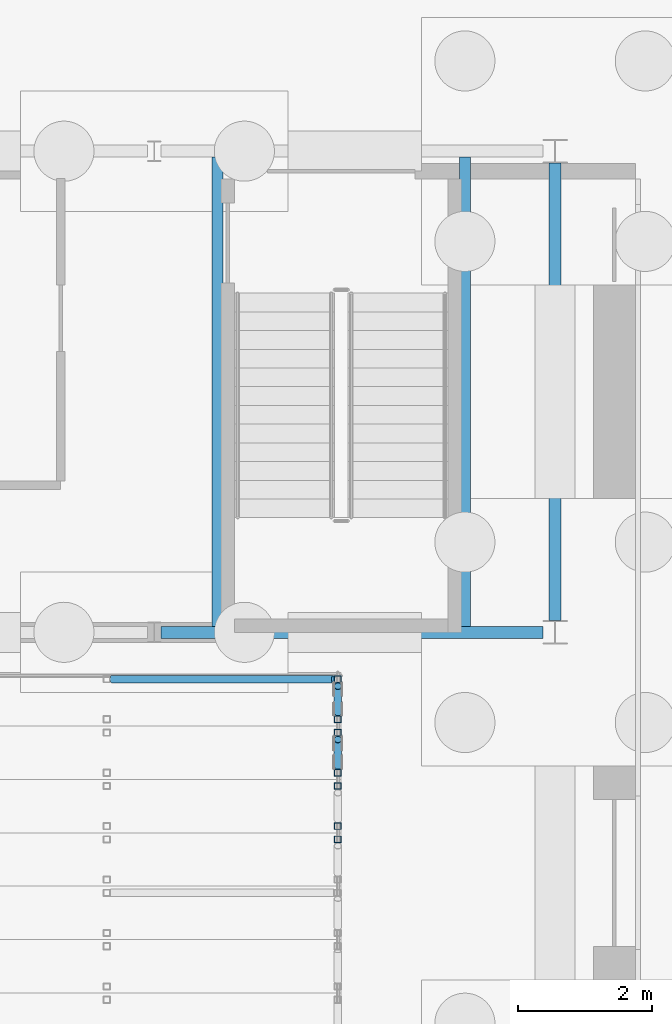
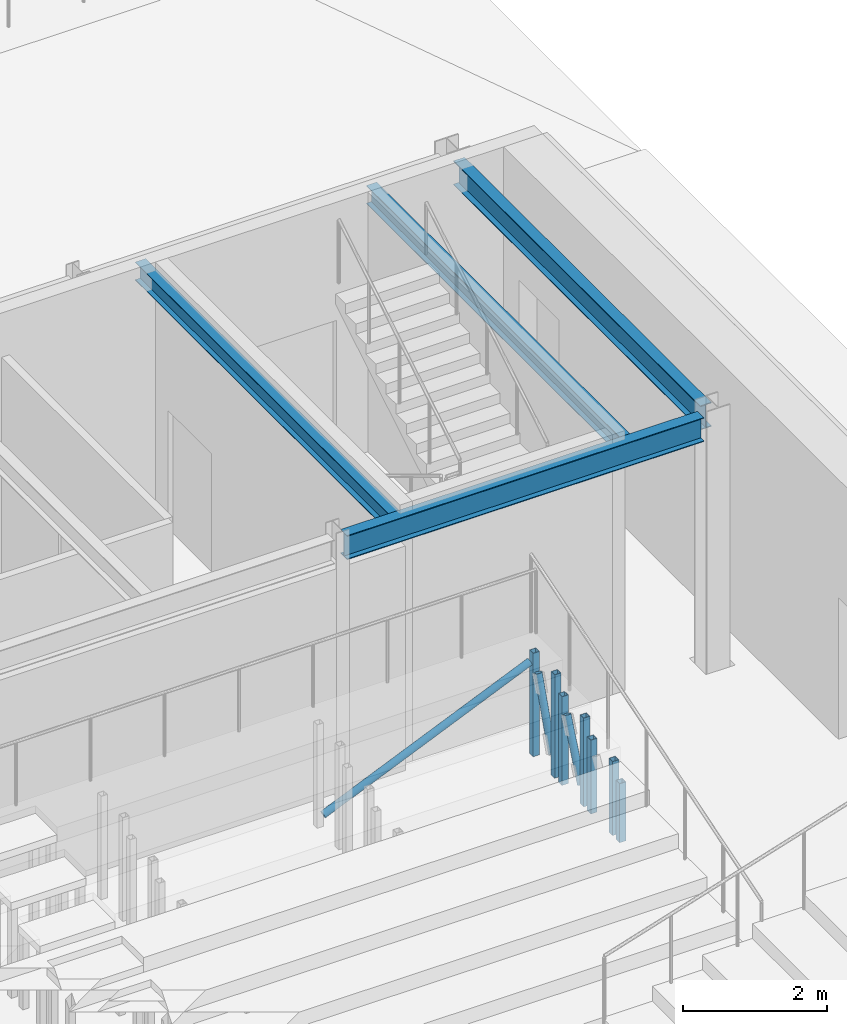
# One storey, part 60 of 139: 10 members, 4 beams.
"""IFC4 building model written with IfcOpenShell, lengths in metres."""

import ifcopenshell
import ifcopenshell.guid

model = None  # the IFC model being written
_history = None  # IfcOwnerHistory: only IFC2X3 demands one
_inside = {}  # id of a spatial element -> (the spatial element, [elements in it])
_under = {}  # id of a project, library or spatial element -> (it, [spatial elements below it])
_declared = {}  # id of a project -> (the project, [libraries it declares])
_typed = {}  # id of a type object -> (the type object, [elements of that type])
_made_of = {}  # id of a material, layer set ... -> (it, [elements and type objects made of it])


def new_model(schema):
    """Start an empty IFC model of exactly this schema.

    Asked for "IFC4X3", IfcOpenShell would pick the latest addendum, in which some entities
    have other attributes; the version numbers below select the first issue.
    IFC2X3 requires an IfcOwnerHistory on every rooted entity: one is made here for all.
    """
    global model, _history
    if schema == "IFC4X3":
        model = ifcopenshell.file(schema_version=(4, 3, 0, 0))
    else:
        model = ifcopenshell.file(schema=schema)
    _inside.clear()
    _under.clear()
    _declared.clear()
    _typed.clear()
    _made_of.clear()
    _history = None
    if model.schema == "IFC2X3":
        org = make("IfcOrganization", Name="unknown")
        user = make(
            "IfcPersonAndOrganization",
            ThePerson=make("IfcPerson", FamilyName="unknown"),
            TheOrganization=org,
        )
        app = make(
            "IfcApplication",
            ApplicationDeveloper=org,
            Version="unknown",
            ApplicationFullName="unknown",
            ApplicationIdentifier="unknown",
        )
        _history = make(
            "IfcOwnerHistory",
            OwningUser=user,
            OwningApplication=app,
            ChangeAction="ADDED",
            CreationDate=0,
        )
    return model


def make(cls, **values):
    """One entity of the class cls with the attributes given. An attribute that is None is left unset."""
    return model.create_entity(
        cls, **{name: value for name, value in values.items() if value is not None}
    )


def rooted(cls, **values):
    """An entity with a GlobalId (a new one), such as an element, a storey or a relation."""
    return make(cls, GlobalId=ifcopenshell.guid.new(), OwnerHistory=_history, **values)


def si_unit(unit_type, name, prefix=None):
    """IfcSIUnit, for example si_unit("LENGTHUNIT", "METRE", prefix="MILLI")."""
    return make("IfcSIUnit", UnitType=unit_type, Prefix=prefix, Name=name)


def assignment(units):
    """IfcUnitAssignment: the units of a project."""
    return None if units is None else make("IfcUnitAssignment", Units=units)


def point(xyz):
    """IfcCartesianPoint."""
    return None if xyz is None else make("IfcCartesianPoint", Coordinates=xyz)


def direction(xyz):
    """IfcDirection."""
    return None if xyz is None else make("IfcDirection", DirectionRatios=xyz)


def frame(location, z_axis=None, x_axis=None):
    """IfcAxis2Placement3D, a coordinate frame: its origin and axes. An axis left out is left unset."""
    return make(
        "IfcAxis2Placement3D",
        Location=point(location),
        Axis=direction(z_axis),
        RefDirection=direction(x_axis),
    )


def frame_2d(location, x_axis=None):
    """IfcAxis2Placement2D, a coordinate frame in the plane: its origin and x axis."""
    return make(
        "IfcAxis2Placement2D", Location=point(location), RefDirection=direction(x_axis)
    )


def origin():
    """The frame at (0, 0, 0) with its axes left unset."""
    return frame((0.0, 0.0, 0.0))


def origin_2d():
    """The frame at (0, 0) in the plane with its x axis left unset."""
    return frame_2d((0.0, 0.0))


def place(relative_to, where):
    """IfcLocalPlacement: puts the frame where relative to a parent placement (None: the world)."""
    return make(
        "IfcLocalPlacement", PlacementRelTo=relative_to, RelativePlacement=where
    )


def context(
    kind, dimensions, precision=None, world=None, true_north=None, identifier=None
):
    """IfcGeometricRepresentationContext, for example the 3D "Model" context."""
    return make(
        "IfcGeometricRepresentationContext",
        ContextIdentifier=identifier,
        ContextType=kind,
        CoordinateSpaceDimension=dimensions,
        Precision=precision,
        WorldCoordinateSystem=world,
        TrueNorth=true_north,
    )


def subcontext(parent, identifier, kind, view, scale=None):
    """IfcGeometricRepresentationSubContext, for example "Body" below "Model"."""
    return make(
        "IfcGeometricRepresentationSubContext",
        ContextIdentifier=identifier,
        ContextType=kind,
        ParentContext=parent,
        TargetScale=scale,
        TargetView=view,
    )


def project(units=None, contexts=None):
    """IfcProject with its units and contexts."""
    return rooted(
        "IfcProject",
        Name="project",
        RepresentationContexts=contexts,
        UnitsInContext=assignment(units),
    )


def spatial(cls, under=None, at=None, **own):
    """A site, building, storey or space (cls), placed at a placement, below another one or the project."""
    s = rooted(cls, ObjectPlacement=at, **own)
    if under is not None:
        _under.setdefault(under.id(), (under, []))[1].append(s)
    return s


def profile(cls, at=None, kind="AREA", **sizes):
    """A parametric profile (cls). Its sizes go by their IFC names, for example OverallWidth=200.0."""
    return make(cls, ProfileType=kind, Position=at, **sizes)


def hollow_rectangle(**sizes):
    """IfcRectangleHollowProfileDef."""
    return profile("IfcRectangleHollowProfileDef", **sizes)


def hollow_circle(**sizes):
    """IfcCircleHollowProfileDef."""
    return profile("IfcCircleHollowProfileDef", **sizes)


def i_section(**sizes):
    """IfcIShapeProfileDef."""
    return profile("IfcIShapeProfileDef", **sizes)


def extrude(swept, where, along, depth):
    """IfcExtrudedAreaSolid: the profile swept, set in the frame where, extruded along a direction by depth."""
    return make(
        "IfcExtrudedAreaSolid",
        SweptArea=swept,
        Position=where,
        ExtrudedDirection=direction(along),
        Depth=depth,
    )


def shape(context_of_items, identifier, shape_type, items):
    """IfcShapeRepresentation: the items that make up one representation, for example the "Body"."""
    return make(
        "IfcShapeRepresentation",
        ContextOfItems=context_of_items,
        RepresentationIdentifier=identifier,
        RepresentationType=shape_type,
        Items=items,
    )


def material(Name=None, Category=None):
    """IfcMaterial."""
    return make("IfcMaterial", Name=Name, Category=Category)


def material_profile(
    of_material, cross_section, Name=None, Category=None, Priority=None
):
    """IfcMaterialProfile: a cross section and its material."""
    return make(
        "IfcMaterialProfile",
        Name=Name,
        Material=of_material,
        Profile=cross_section,
        Priority=Priority,
        Category=Category,
    )


def profile_set(profiles, Name=None, composite=None):
    """IfcMaterialProfileSet."""
    return make(
        "IfcMaterialProfileSet",
        Name=Name,
        MaterialProfiles=profiles,
        CompositeProfile=composite,
    )


def made_of(thing, what):
    """Note that an element or type object is made of a material, layer set ...; save() writes the relation."""
    if what is not None:
        _made_of.setdefault(what.id(), (what, []))[1].append(thing)
    return thing


def type_object(cls, material=None, **own):
    """A type object (cls), such as IfcWallType, which elements share."""
    return made_of(rooted(cls, **own), material)


def element(
    cls,
    number,
    at=None,
    inside=None,
    cuts=None,
    type_object=None,
    material=None,
    context=None,
    identifier="Body",
    shape_type=None,
    held_by="IfcProductDefinitionShape",
    body=None,
    shapes=None,
    **own,
):
    """One element of the class cls, such as IfcWall. Its Tag is "e" and its number.

    at: its placement. inside: the storey or other place that contains it. cuts: it is an
    opening in that element (IfcRelVoidsElement). A single representation is given by context,
    identifier, shape_type and body (its items); several are given by shapes. held_by: the class
    of the entity that holds the representations. save() writes the other relations.
    """
    e = rooted(cls, Tag="e%d" % number, ObjectPlacement=at, **own)
    if body is not None:
        shapes = [shape(context, identifier, shape_type, body)]
    if shapes is not None:
        e.Representation = make(held_by, Representations=shapes)
    if inside is not None:
        _inside.setdefault(inside.id(), (inside, []))[1].append(e)
    if cuts is not None:
        rooted(
            "IfcRelVoidsElement", RelatingBuildingElement=cuts, RelatedOpeningElement=e
        )
    if type_object is not None:
        _typed.setdefault(type_object.id(), (type_object, []))[1].append(e)
    return made_of(e, material)


def aggregate(whole, parts):
    """IfcRelAggregates: a whole, such as a stair, and the parts it consists of."""
    return rooted("IfcRelAggregates", RelatingObject=whole, RelatedObjects=parts)


def save(model, path):
    """Write the relations noted so far, then the file.

    IfcRelAggregates (storeys below a building ...), IfcRelContainedInSpatialStructure (elements
    in a storey), IfcRelDefinesByType, IfcRelAssociatesMaterial and IfcRelDeclares: one each for
    every whole, place, type object, material and project.
    """
    for whole, parts in _under.values():
        aggregate(whole, parts)
    for where, things in _inside.values():
        rooted(
            "IfcRelContainedInSpatialStructure",
            RelatedElements=things,
            RelatingStructure=where,
        )
    for kind, things in _typed.values():
        rooted("IfcRelDefinesByType", RelatedObjects=things, RelatingType=kind)
    for what, things in _made_of.values():
        rooted("IfcRelAssociatesMaterial", RelatedObjects=things, RelatingMaterial=what)
    for by, libraries in _declared.values():
        rooted("IfcRelDeclares", RelatingContext=by, RelatedDefinitions=libraries)
    model.write(path)


model = new_model("IFC4")

# Units and contexts
model_context = context("Model", 3, precision=1e-05, world=origin(), true_north=direction((0.0, 1.0)))
body_context = subcontext(model_context, "Body", "Model", "MODEL_VIEW")
ifc_project = project(units=[si_unit("LENGTHUNIT", "METRE"), si_unit("AREAUNIT", "SQUARE_METRE"), si_unit("VOLUMEUNIT", "CUBIC_METRE"), si_unit("PLANEANGLEUNIT", "RADIAN"), si_unit("MASSUNIT", "GRAM", prefix="KILO")], contexts=[model_context])

# Site, building, storey
site_placement = place(None, origin())
site = spatial("IfcSite", under=ifc_project, at=site_placement, CompositionType="ELEMENT")
building_placement = place(site_placement, origin())
building = spatial("IfcBuilding", under=site, at=building_placement, Name="Verrick Yard Athletic Hall", CompositionType="ELEMENT")
storey_placement = place(building_placement, origin())
storey = spatial("IfcBuildingStorey", under=building, at=storey_placement, Name="L00", CompositionType="ELEMENT", Elevation=0.0)

# Beams
ifc_material_1 = material(Name="Structural steel 350W (CSA G40.21)", Category="steel")
ifc_material_profile_1 = material_profile(ifc_material_1, i_section(OverallWidth=0.177978515625, OverallDepth=0.406982421875, WebThickness=0.0078125, FlangeThickness=0.0126953125, at=origin_2d()), Name="W410x60")
ifc_profile_set_1 = profile_set([ifc_material_profile_1], Name="Structural steel 350W (CSA G40.21)")
beam_type_1 = type_object("IfcBeamType", Name="HB girder W410x60", PredefinedType="BEAM", material=ifc_profile_set_1)
beam_1_placement = place(storey_placement, frame((163.702392578125, 100.800048828125, 4.04638671875), z_axis=(1.0, 0.0, 0.0), x_axis=(0.0, 1.0, 0.0)))
element("IfcBeam", 1, at=beam_1_placement, inside=storey, type_object=beam_type_1, Name="HB-GB-A-L01-S8", PredefinedType="BEAM", context=body_context, shape_type="SweptSolid", body=[
    extrude(i_section(OverallWidth=0.177978515625, OverallDepth=0.406982421875, WebThickness=0.0078125, FlangeThickness=0.0126953125, at=origin_2d()), origin(), (0.0, 0.0, 1.0), 5.713134765625),
])
beam_2_placement = place(storey_placement, frame((169.60009765625, 100.97802734375, 4.04638671875), z_axis=(0.0, 1.0, 0.0), x_axis=(-1.0, 0.0, 0.0)))
element("IfcBeam", 2, at=beam_2_placement, inside=storey, type_object=beam_type_1, Name="HB-EB-A-L01-E", PredefinedType="BEAM", context=body_context, shape_type="SweptSolid", body=[
    extrude(i_section(OverallWidth=0.177978515625, OverallDepth=0.406982421875, WebThickness=0.0078125, FlangeThickness=0.0126953125, at=origin_2d()), origin(), (0.0, 0.0, 1.0), 6.843994140625),
])

# Members
ifc_material_2 = material(Name="Structural steel HSS Class C 350W (CSA G40.20/G40.21)", Category="steel")
ifc_material_profile_2 = material_profile(ifc_material_2, hollow_circle(Radius=0.05712890625, WallThickness=0.00634765625, at=origin_2d()), Name="HSS114x6.4")
ifc_profile_set_2 = profile_set([ifc_material_profile_2], Name="Structural steel HSS Class C 350W (CSA G40.20/G40.21)")
member_type_1 = type_object("IfcMemberType", Name="HB roof brace HSS114x6.4", PredefinedType="BRACE", material=ifc_profile_set_2)
member_1_placement = place(storey_placement, frame((166.34912109375, 98.803466796875, 0.277099609375), z_axis=(0.0, 0.383768953832, 0.923429147295), x_axis=(-1.0, 0.0, 0.0)))
element("IfcMember", 3, at=member_1_placement, inside=storey, type_object=member_type_1, Name="HB-BRS-RSA1-z7", PredefinedType="BRACE", context=body_context, shape_type="SweptSolid", body=[
    extrude(hollow_circle(Radius=0.05712890625, WallThickness=0.00634765625, at=origin_2d()), origin(), (0.0, 0.0, 1.0), 1.024169921875),
])
member_2_placement = place(storey_placement, frame((166.34912109375, 99.604736328125, 0.30712890625), z_axis=(0.0, 0.325057042805, 0.945694410961), x_axis=(-1.0, 0.0, 0.0)))
element("IfcMember", 4, at=member_2_placement, inside=storey, type_object=member_type_1, Name="HB-BRS-RSA1-z8", PredefinedType="BRACE", context=body_context, shape_type="SweptSolid", body=[
    extrude(hollow_circle(Radius=0.05712890625, WallThickness=0.00634765625, at=origin_2d()), origin(), (0.0, 0.0, 1.0), 1.200927734375),
])
member_3_placement = place(storey_placement, frame((162.96435546875, 100.10009765625, 0.15966796875), z_axis=(0.917982276366, 0.0, 0.396621406732), x_axis=(0.0, 1.0, 0.0)))
element("IfcMember", 5, at=member_3_placement, inside=storey, type_object=member_type_1, Name="HB-BRL-RSA1-z8", PredefinedType="BRACE", context=body_context, shape_type="SweptSolid", body=[
    extrude(hollow_circle(Radius=0.05712890625, WallThickness=0.00634765625, at=origin_2d()), origin(), (0.0, 0.0, 1.0), 3.607177734375),
])
ifc_material_profile_3 = material_profile(ifc_material_2, hollow_rectangle(XDim=0.1015625, YDim=0.1015625, WallThickness=0.00634765625, at=origin_2d()), Name="HSS102x102x6.4")
ifc_profile_set_3 = profile_set([ifc_material_profile_3], Name="Structural steel HSS Class C 350W (CSA G40.20/G40.21)")
member_type_2 = type_object("IfcMemberType", Name="HB seating post HSS102x102x6.4", PredefinedType="POST", material=ifc_profile_set_3)
member_4_placement = place(storey_placement, frame((166.34912109375, 97.699951171875, 0.0), z_axis=(0.0, 0.0, 1.0), x_axis=(0.0, 1.0, 0.0)))
element("IfcMember", 6, at=member_4_placement, inside=storey, type_object=member_type_2, Name="HB-SP-RSA1-T5b13", PredefinedType="POST", context=body_context, shape_type="SweptSolid", body=[
    extrude(hollow_rectangle(XDim=0.1015625, YDim=0.1015625, WallThickness=0.00634765625, at=origin_2d()), origin(), (0.0, 0.0, 1.0), 1.0),
])
for number, where, z_axis, x_axis, name in (
    (7, (166.34912109375, 97.89990234375, 0.0), (0.0, 0.0, 1.0), (0.0, 1.0, 0.0), "HB-SP-RSA1-T6f13"),
    (8, (166.34912109375, 98.5, 0.0), (0.0, 0.0, 1.0), (0.0, 1.0, 0.0), "HB-SP-RSA1-T6b13"),
):
    element("IfcMember", number, at=place(storey_placement, frame(where, z_axis=z_axis, x_axis=x_axis)), inside=storey, type_object=member_type_2, Name=name, PredefinedType="POST", context=body_context, shape_type="SweptSolid", body=[
        extrude(hollow_rectangle(XDim=0.1015625, YDim=0.1015625, WallThickness=0.00634765625, at=origin_2d()), origin(), (0.0, 0.0, 1.0), 1.25),
    ])
for number, where, z_axis, x_axis, name in (
    (9, (166.34912109375, 98.699951171875, 0.0), (0.0, 0.0, 1.0), (0.0, 1.0, 0.0), "HB-SP-RSA1-T7f13"),
    (10, (166.34912109375, 99.300048828125, 0.0), (0.0, 0.0, 1.0), (0.0, 1.0, 0.0), "HB-SP-RSA1-T7b13"),
):
    element("IfcMember", number, at=place(storey_placement, frame(where, z_axis=z_axis, x_axis=x_axis)), inside=storey, type_object=member_type_2, Name=name, PredefinedType="POST", context=body_context, shape_type="SweptSolid", body=[
        extrude(hollow_rectangle(XDim=0.1015625, YDim=0.1015625, WallThickness=0.00634765625, at=origin_2d()), origin(), (0.0, 0.0, 1.0), 1.5),
    ])
for number, where, z_axis, x_axis, name in (
    (11, (166.34912109375, 99.5, 0.0), (0.0, 0.0, 1.0), (0.0, 1.0, 0.0), "HB-SP-RSA1-T8f13"),
    (12, (166.34912109375, 100.10009765625, 0.0), (0.0, 0.0, 1.0), (0.0, 1.0, 0.0), "HB-SP-RSA1-T8b13"),
):
    element("IfcMember", number, at=place(storey_placement, frame(where, z_axis=z_axis, x_axis=x_axis)), inside=storey, type_object=member_type_2, Name=name, PredefinedType="POST", context=body_context, shape_type="SweptSolid", body=[
        extrude(hollow_rectangle(XDim=0.1015625, YDim=0.1015625, WallThickness=0.00634765625, at=origin_2d()), origin(), (0.0, 0.0, 1.0), 1.75),
    ])

# Beams
ifc_material_profile_4 = material_profile(ifc_material_1, i_section(OverallWidth=0.1650390625, OverallDepth=0.31005859375, WebThickness=0.005859375, FlangeThickness=0.009765625, at=origin_2d()), Name="W310x39")
ifc_profile_set_4 = profile_set([ifc_material_profile_4], Name="Structural steel 350W (CSA G40.21)")
beam_type_2 = type_object("IfcBeamType", Name="HB trimmer beam W310x39", PredefinedType="BEAM", material=ifc_profile_set_4)
for number, where, z_axis, x_axis, name in (
    (13, (164.550048828125, 100.888916015625, 4.094970703125), (0.0, 1.0, 0.0), (-1.0, 0.0, 0.0), "HB-TB-A-2a"),
    (14, (168.25, 100.888916015625, 4.094970703125), (0.0, 1.0, 0.0), (-1.0, 0.0, 0.0), "HB-TB-A-2b"),
):
    element("IfcBeam", number, at=place(storey_placement, frame(where, z_axis=z_axis, x_axis=x_axis)), inside=storey, type_object=beam_type_2, Name=name, PredefinedType="BEAM", context=body_context, shape_type="SweptSolid", body=[
        extrude(i_section(OverallWidth=0.1650390625, OverallDepth=0.31005859375, WebThickness=0.005859375, FlangeThickness=0.009765625, at=origin_2d()), origin(), (0.0, 0.0, 1.0), 7.02197265625),
    ])

save(model, "model.ifc")
